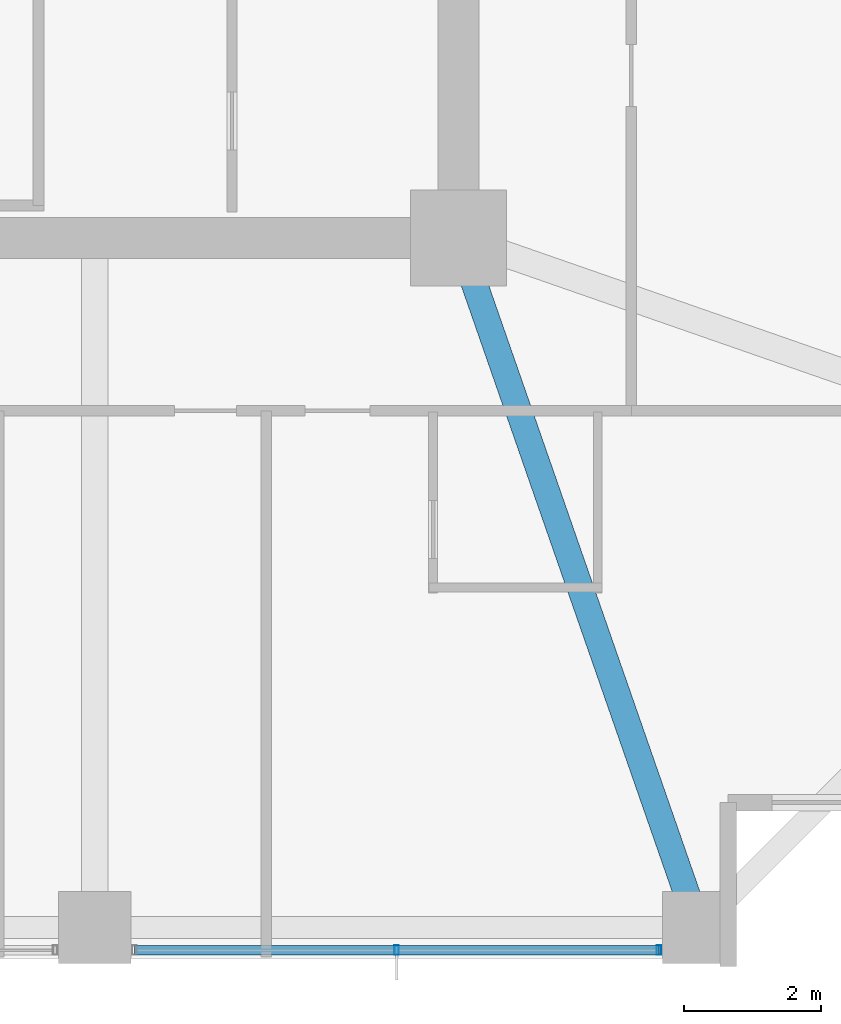
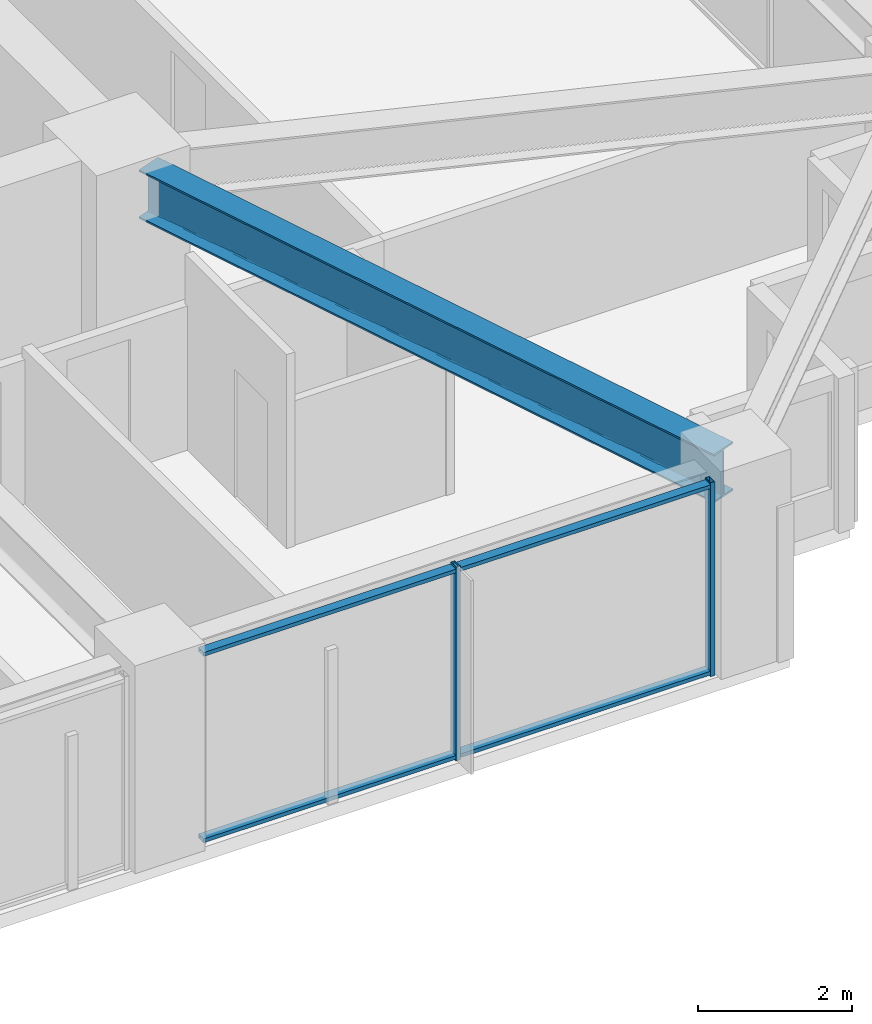
# One storey, part 12 of 36: 4 members, 1 beam, 1 element without a shape of its own.
"""IFC4 building model written with IfcOpenShell, lengths in metres."""

from ifc_helpers import new_model, si_unit, direction, frame, origin, origin_2d, place, context, subcontext, project, spatial, hollow_rectangle, i_section, extrude, material, material_profile, profile_set, type_object, element, aggregate, save


model = new_model("IFC4")

# Units and contexts
model_context = context("Model", 3, precision=1e-05, world=origin(), true_north=direction((0.0, 1.0)))
body_context = subcontext(model_context, "Body", "Model", "MODEL_VIEW")
ifc_project = project(units=[si_unit("LENGTHUNIT", "METRE"), si_unit("AREAUNIT", "SQUARE_METRE"), si_unit("VOLUMEUNIT", "CUBIC_METRE"), si_unit("PLANEANGLEUNIT", "RADIAN"), si_unit("MASSUNIT", "GRAM", prefix="KILO")], contexts=[model_context])

# Site, building, storey
site_placement = place(None, origin())
site = spatial("IfcSite", under=ifc_project, at=site_placement, CompositionType="ELEMENT")
building_placement = place(site_placement, origin())
building = spatial("IfcBuilding", under=site, at=building_placement, Name="Kolvaren Belvedere", CompositionType="ELEMENT")
storey_placement = place(building_placement, frame((0.0, 0.0, 92.0)))
storey = spatial("IfcBuildingStorey", under=building, at=storey_placement, Name="L26", CompositionType="ELEMENT", Elevation=92.0)

# Beam
ifc_material_1 = material(Name="Structural steel ASTM A992 Grade 50", Category="steel")
ifc_material_profile_1 = material_profile(ifc_material_1, i_section(OverallWidth=0.381103515625, OverallDepth=0.77294921875, WebThickness=0.0166015625, FlangeThickness=0.027099609375, FilletRadius=0.02392578125, at=origin_2d()), Name="W30X173")
ifc_profile_set_1 = profile_set([ifc_material_profile_1], Name="Structural steel ASTM A992 Grade 50")
beam_type = type_object("IfcBeamType", Name="BM-GIRD-W30X173", PredefinedType="BEAM", material=ifc_profile_set_1)
beam_placement = place(storey_placement, frame((10.080810546875, -10.41943359375, 2.693603515625), z_axis=(0.328880894453, -0.944371408538, 0.0), x_axis=(0.944371408538, 0.328880894453, 0.0)))
element("IfcBeam", 1, at=beam_placement, inside=storey, type_object=beam_type, Name="L26 Corner Core-to-Perimeter Girder CC2-S4", PredefinedType="BEAM", context=body_context, shape_type="SweptSolid", body=[
    extrude(i_section(OverallWidth=0.381103515625, OverallDepth=0.77294921875, WebThickness=0.0166015625, FlangeThickness=0.027099609375, FilletRadius=0.02392578125, at=origin_2d()), origin(), (0.0, 0.0, 1.0), 9.882080078125),
])

# Curtain wall, members
ifc_material_2 = material(Name="Anodised pale-metal aluminium AA 6063-T6", Category="aluminium")
curtain_wall_type = type_object("IfcCurtainWallType", Name="CW-Z2-MID", PredefinedType="NOTDEFINED", material=ifc_material_2)
curtain_wall_placement = place(storey_placement, origin())
curtain_wall = element("IfcCurtainWall", 2, at=curtain_wall_placement, inside=storey, type_object=curtain_wall_type, Name="L26 Unitised Curtain Wall FCW-L26-S-B1", PredefinedType="NOTDEFINED")
ifc_material_3 = material(Name="Anodised pale-metal aluminium AA 6063-T6", Category="aluminium")
ifc_material_profile_2 = material_profile(ifc_material_3, hollow_rectangle(XDim=0.06494140625, YDim=0.139892578125, WallThickness=0.00390625, at=origin_2d()), Name="ALU-MUL-140X65")
ifc_profile_set_2 = profile_set([ifc_material_profile_2], Name="Anodised pale-metal aluminium AA 6063-T6")
member_type_1 = type_object("IfcMemberType", Name="CW-MUL-140", PredefinedType="MULLION", material=ifc_profile_set_2)
member_1_placement = place(storey_placement, frame((12.822509765625, -20.280029296875, 0.0), z_axis=(0.0, 0.0, 1.0), x_axis=(1.0, 0.0, 0.0)))
member_1 = element("IfcMember", 3, at=member_1_placement, type_object=member_type_1, Name="FCW-L26-S-B1 Unitised Mullion 1", PredefinedType="MULLION", context=body_context, shape_type="SweptSolid", body=[
    extrude(hollow_rectangle(XDim=0.06494140625, YDim=0.139892578125, WallThickness=0.00390625, at=origin_2d()), origin(), (0.0, 0.0, 1.0), 3.080078125),
])
member_2_placement = place(storey_placement, frame((9.0, -20.280029296875, 0.0), z_axis=(0.0, 0.0, 1.0), x_axis=(1.0, 0.0, 0.0)))
member_2 = element("IfcMember", 4, at=member_2_placement, type_object=member_type_1, Name="FCW-L26-S-B1 Unitised Mullion 2", PredefinedType="MULLION", context=body_context, shape_type="SweptSolid", body=[
    extrude(hollow_rectangle(XDim=0.06494140625, YDim=0.139892578125, WallThickness=0.00390625, at=origin_2d()), origin(), (0.0, 0.0, 1.0), 3.080078125),
])
ifc_material_4 = material(Name="Anodised pale-metal aluminium AA 6063-T6", Category="aluminium")
ifc_material_profile_3 = material_profile(ifc_material_4, hollow_rectangle(XDim=0.06005859375, YDim=0.139892578125, WallThickness=0.00390625, at=origin_2d()), Name="ALU-TRN-140X60")
ifc_profile_set_3 = profile_set([ifc_material_profile_3], Name="Anodised pale-metal aluminium AA 6063-T6")
member_type_2 = type_object("IfcMemberType", Name="CW-TRN-140", PredefinedType="USERDEFINED", material=ifc_profile_set_3)
member_3_placement = place(storey_placement, frame((12.822509765625, -20.280029296875, 0.06005859375), z_axis=(-1.0, 0.0, 0.0), x_axis=(0.0, 0.0, 1.0)))
member_3 = element("IfcMember", 5, at=member_3_placement, type_object=member_type_2, Name="FCW-L26-S-B1 Sill Transom", ObjectType="TRANSOM", PredefinedType="USERDEFINED", context=body_context, shape_type="SweptSolid", body=[
    extrude(hollow_rectangle(XDim=0.06005859375, YDim=0.139892578125, WallThickness=0.00390625, at=origin_2d()), origin(), (0.0, 0.0, 1.0), 7.64501953125),
])
member_4_placement = place(storey_placement, frame((12.822509765625, -20.280029296875, 3.02001953125), z_axis=(-1.0, 0.0, 0.0), x_axis=(0.0, 0.0, 1.0)))
member_4 = element("IfcMember", 6, at=member_4_placement, type_object=member_type_2, Name="FCW-L26-S-B1 Head Transom", ObjectType="TRANSOM", PredefinedType="USERDEFINED", context=body_context, shape_type="SweptSolid", body=[
    extrude(hollow_rectangle(XDim=0.06005859375, YDim=0.139892578125, WallThickness=0.00390625, at=origin_2d()), origin(), (0.0, 0.0, 1.0), 7.64501953125),
])
aggregate(curtain_wall, [member_1, member_2, member_3, member_4])

save(model, "model.ifc")
